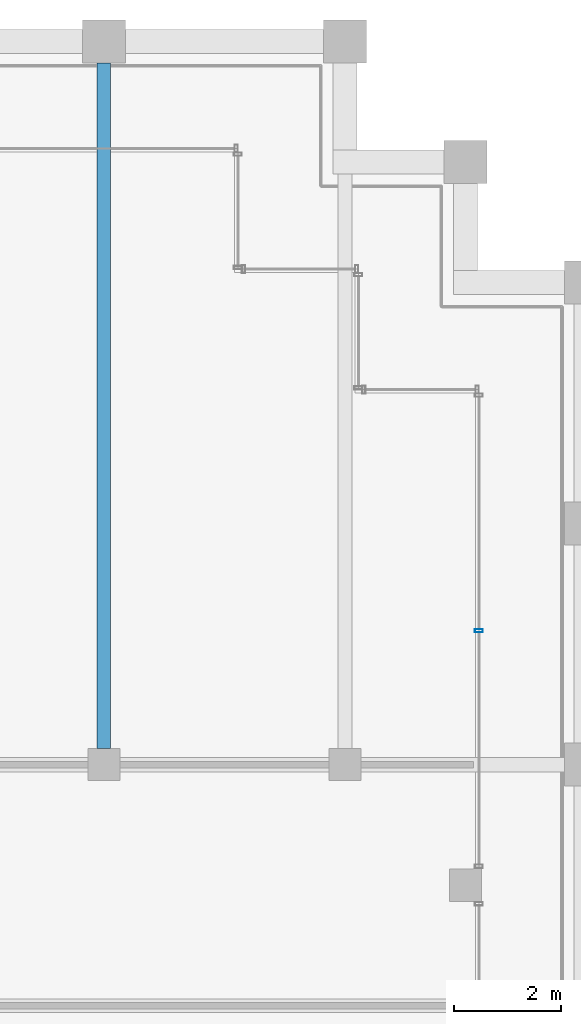
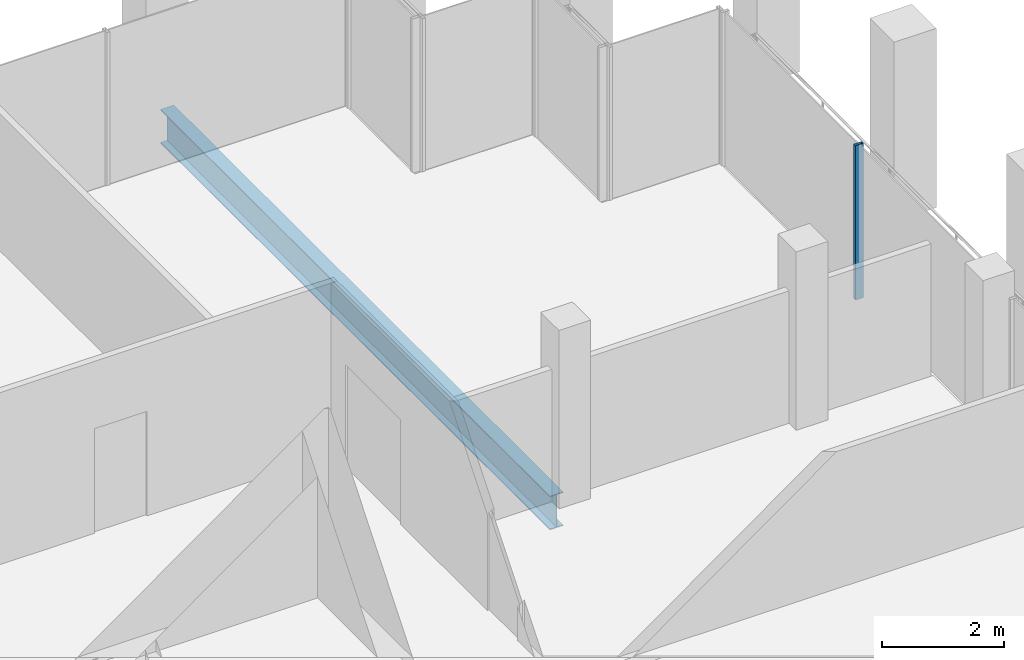
# One storey, part 24 of 30: 1 beam, 1 member, 1 element without a shape of its own.
"""IFC4 building model written with IfcOpenShell, lengths in metres."""

from ifc_helpers import new_model, si_unit, direction, frame, origin, origin_2d, place, context, subcontext, project, spatial, hollow_rectangle, i_section, extrude, material, material_profile, profile_set, type_object, element, aggregate, save


model = new_model("IFC4")

# Units and contexts
model_context = context("Model", 3, precision=1e-05, world=origin(), true_north=direction((0.0, 1.0)))
body_context = subcontext(model_context, "Body", "Model", "MODEL_VIEW")
ifc_project = project(units=[si_unit("LENGTHUNIT", "METRE"), si_unit("AREAUNIT", "SQUARE_METRE"), si_unit("VOLUMEUNIT", "CUBIC_METRE"), si_unit("PLANEANGLEUNIT", "RADIAN"), si_unit("MASSUNIT", "GRAM", prefix="KILO")], contexts=[model_context])

# Site, building, storey
site_placement = place(None, origin())
site = spatial("IfcSite", under=ifc_project, at=site_placement, CompositionType="ELEMENT")
building_placement = place(site_placement, origin())
building = spatial("IfcBuilding", under=site, at=building_placement, Name="Altepetl Exchange Towers", CompositionType="ELEMENT")
storey_placement = place(building_placement, frame((0.0, 0.0, 213.60009765625)))
storey = spatial("IfcBuildingStorey", under=building, at=storey_placement, Name="L54", CompositionType="ELEMENT", Elevation=213.60009765625)

# Beam
ifc_material_1 = material(Name="Steel S355", Category="steel")
ifc_material_profile_1 = material_profile(ifc_material_1, i_section(OverallWidth=0.2529296875, OverallDepth=0.677978515625, WebThickness=0.01171875, FlangeThickness=0.016357421875, at=origin_2d()), Name="W27X84")
ifc_profile_set_1 = profile_set([ifc_material_profile_1], Name="Steel S355")
beam_type = type_object("IfcBeamType", Name="Floor beam W27X84", PredefinedType="BEAM", material=ifc_profile_set_1)
beam_placement = place(storey_placement, frame((63.0, 58.800048828125, -0.489013671875), z_axis=(0.0, 1.0, 0.0), x_axis=(-1.0, 0.0, 0.0)))
element("IfcBeam", 1, at=beam_placement, inside=storey, type_object=beam_type, Name="bm:A:L54:004", PredefinedType="BEAM", context=body_context, shape_type="SweptSolid", body=[
    extrude(i_section(OverallWidth=0.2529296875, OverallDepth=0.677978515625, WebThickness=0.01171875, FlangeThickness=0.016357421875, at=origin_2d()), origin(), (0.0, 0.0, 1.0), 12.800048828125),
])

# Curtain wall, member
ifc_material_2 = material(Name="Aluminium 6063-T6 glazing", Category="aluminium")
curtain_wall_type = type_object("IfcCurtainWallType", Name="Loggia glazing system", PredefinedType="NOTDEFINED", material=ifc_material_2)
curtain_wall_placement = place(storey_placement, origin())
curtain_wall = element("IfcCurtainWall", 2, at=curtain_wall_placement, inside=storey, type_object=curtain_wall_type, Name="CW1 run", PredefinedType="NOTDEFINED")
ifc_material_3 = material(Name="Aluminium 6063-T6", Category="aluminium")
ifc_material_profile_2 = material_profile(ifc_material_3, hollow_rectangle(XDim=0.06005859375, YDim=0.14990234375, WallThickness=0.0029296875, at=origin_2d()), Name="Mullion 60x150 aluminium")
ifc_profile_set_2 = profile_set([ifc_material_profile_2], Name="Aluminium 6063-T6")
member_type = type_object("IfcMemberType", Name="Mullion 60x150 aluminium", PredefinedType="MULLION", material=ifc_profile_set_2)
member_placement = place(storey_placement, frame((70.0, 60.99755859375, 0.0), z_axis=(0.0, 0.0, 1.0), x_axis=(0.0, 1.0, 0.0)))
member = element("IfcMember", 3, at=member_placement, type_object=member_type, Name="MU1 mullion", PredefinedType="MULLION", context=body_context, shape_type="SweptSolid", body=[
    extrude(hollow_rectangle(XDim=0.06005859375, YDim=0.14990234375, WallThickness=0.0029296875, at=origin_2d()), origin(), (0.0, 0.0, 1.0), 3.099853515625),
])
aggregate(curtain_wall, [member])

save(model, "model.ifc")
